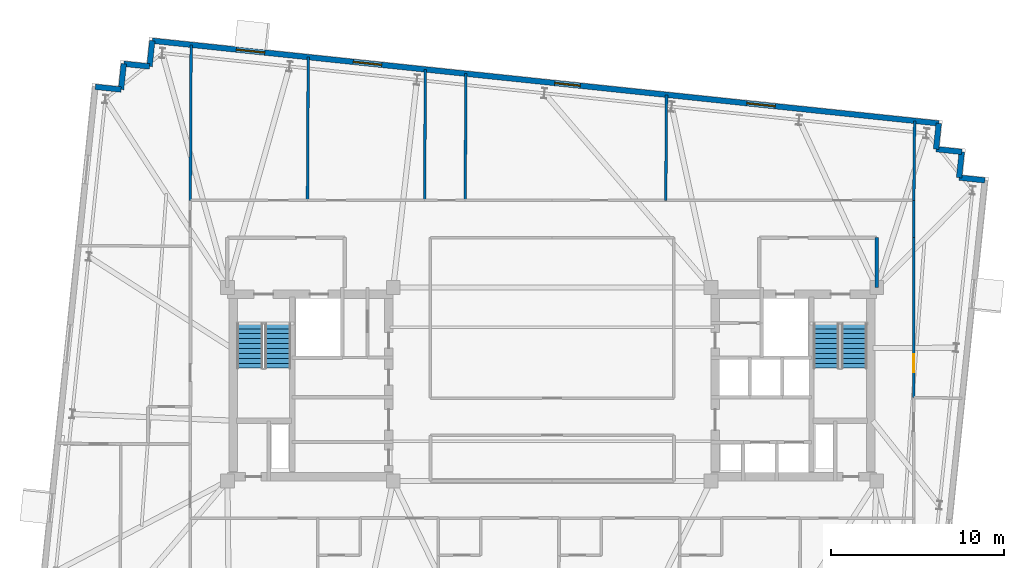
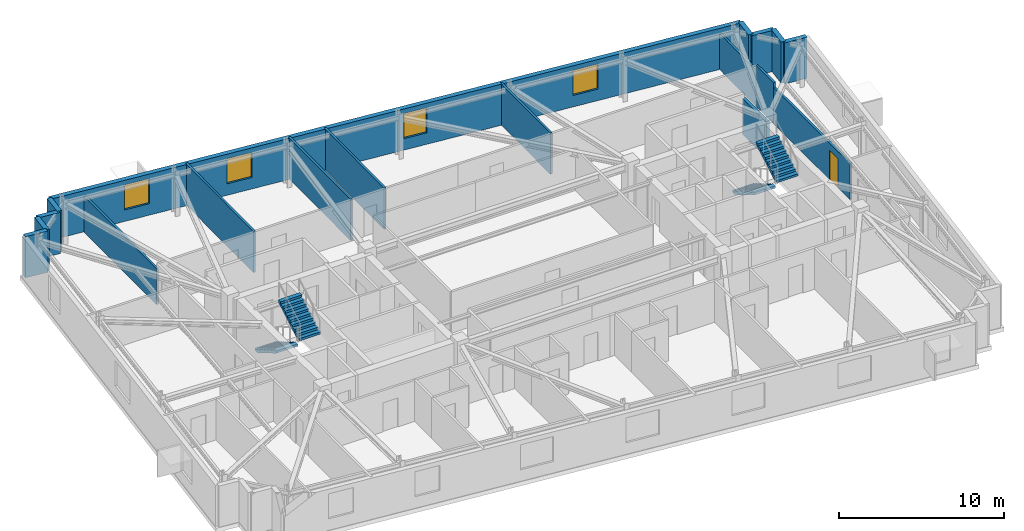
# One storey, part 9 of 11: 18 walls, 4 stair flights, 4 windows, 1 door, 5 openings, 2 elements without a shape of their own.
"""IFC4 building model written with IfcOpenShell, lengths in metres."""

import ifcopenshell
import ifcopenshell.guid

model = None  # the IFC model being written
_history = None  # IfcOwnerHistory: only IFC2X3 demands one
_inside = {}  # id of a spatial element -> (the spatial element, [elements in it])
_under = {}  # id of a project, library or spatial element -> (it, [spatial elements below it])
_declared = {}  # id of a project -> (the project, [libraries it declares])
_typed = {}  # id of a type object -> (the type object, [elements of that type])
_made_of = {}  # id of a material, layer set ... -> (it, [elements and type objects made of it])


def new_model(schema):
    """Start an empty IFC model of exactly this schema.

    Asked for "IFC4X3", IfcOpenShell would pick the latest addendum, in which some entities
    have other attributes; the version numbers below select the first issue.
    IFC2X3 requires an IfcOwnerHistory on every rooted entity: one is made here for all.
    """
    global model, _history
    if schema == "IFC4X3":
        model = ifcopenshell.file(schema_version=(4, 3, 0, 0))
    else:
        model = ifcopenshell.file(schema=schema)
    _inside.clear()
    _under.clear()
    _declared.clear()
    _typed.clear()
    _made_of.clear()
    _history = None
    if model.schema == "IFC2X3":
        org = make("IfcOrganization", Name="unknown")
        user = make(
            "IfcPersonAndOrganization",
            ThePerson=make("IfcPerson", FamilyName="unknown"),
            TheOrganization=org,
        )
        app = make(
            "IfcApplication",
            ApplicationDeveloper=org,
            Version="unknown",
            ApplicationFullName="unknown",
            ApplicationIdentifier="unknown",
        )
        _history = make(
            "IfcOwnerHistory",
            OwningUser=user,
            OwningApplication=app,
            ChangeAction="ADDED",
            CreationDate=0,
        )
    return model


def make(cls, **values):
    """One entity of the class cls with the attributes given. An attribute that is None is left unset."""
    return model.create_entity(
        cls, **{name: value for name, value in values.items() if value is not None}
    )


def rooted(cls, **values):
    """An entity with a GlobalId (a new one), such as an element, a storey or a relation."""
    return make(cls, GlobalId=ifcopenshell.guid.new(), OwnerHistory=_history, **values)


def si_unit(unit_type, name, prefix=None):
    """IfcSIUnit, for example si_unit("LENGTHUNIT", "METRE", prefix="MILLI")."""
    return make("IfcSIUnit", UnitType=unit_type, Prefix=prefix, Name=name)


def assignment(units):
    """IfcUnitAssignment: the units of a project."""
    return None if units is None else make("IfcUnitAssignment", Units=units)


def point(xyz):
    """IfcCartesianPoint."""
    return None if xyz is None else make("IfcCartesianPoint", Coordinates=xyz)


def direction(xyz):
    """IfcDirection."""
    return None if xyz is None else make("IfcDirection", DirectionRatios=xyz)


def frame(location, z_axis=None, x_axis=None):
    """IfcAxis2Placement3D, a coordinate frame: its origin and axes. An axis left out is left unset."""
    return make(
        "IfcAxis2Placement3D",
        Location=point(location),
        Axis=direction(z_axis),
        RefDirection=direction(x_axis),
    )


def frame_2d(location, x_axis=None):
    """IfcAxis2Placement2D, a coordinate frame in the plane: its origin and x axis."""
    return make(
        "IfcAxis2Placement2D", Location=point(location), RefDirection=direction(x_axis)
    )


def origin():
    """The frame at (0, 0, 0) with its axes left unset."""
    return frame((0.0, 0.0, 0.0))


def place(relative_to, where):
    """IfcLocalPlacement: puts the frame where relative to a parent placement (None: the world)."""
    return make(
        "IfcLocalPlacement", PlacementRelTo=relative_to, RelativePlacement=where
    )


def context(
    kind, dimensions, precision=None, world=None, true_north=None, identifier=None
):
    """IfcGeometricRepresentationContext, for example the 3D "Model" context."""
    return make(
        "IfcGeometricRepresentationContext",
        ContextIdentifier=identifier,
        ContextType=kind,
        CoordinateSpaceDimension=dimensions,
        Precision=precision,
        WorldCoordinateSystem=world,
        TrueNorth=true_north,
    )


def subcontext(parent, identifier, kind, view, scale=None):
    """IfcGeometricRepresentationSubContext, for example "Body" below "Model"."""
    return make(
        "IfcGeometricRepresentationSubContext",
        ContextIdentifier=identifier,
        ContextType=kind,
        ParentContext=parent,
        TargetScale=scale,
        TargetView=view,
    )


def project(units=None, contexts=None):
    """IfcProject with its units and contexts."""
    return rooted(
        "IfcProject",
        Name="project",
        RepresentationContexts=contexts,
        UnitsInContext=assignment(units),
    )


def spatial(cls, under=None, at=None, **own):
    """A site, building, storey or space (cls), placed at a placement, below another one or the project."""
    s = rooted(cls, ObjectPlacement=at, **own)
    if under is not None:
        _under.setdefault(under.id(), (under, []))[1].append(s)
    return s


def polyline(points):
    """IfcPolyline through the points."""
    return make("IfcPolyline", Points=[point(p) for p in points])


def profile(cls, at=None, kind="AREA", **sizes):
    """A parametric profile (cls). Its sizes go by their IFC names, for example OverallWidth=200.0."""
    return make(cls, ProfileType=kind, Position=at, **sizes)


def rectangle(**sizes):
    """IfcRectangleProfileDef."""
    return profile("IfcRectangleProfileDef", **sizes)


def outline(outer, holes=None, kind="AREA"):
    """IfcArbitraryClosedProfileDef: a profile drawn as a closed curve; with holes, ...WithVoids."""
    if holes is None:
        return make("IfcArbitraryClosedProfileDef", ProfileType=kind, OuterCurve=outer)
    return make(
        "IfcArbitraryProfileDefWithVoids",
        ProfileType=kind,
        OuterCurve=outer,
        InnerCurves=holes,
    )


def extrude(swept, where, along, depth):
    """IfcExtrudedAreaSolid: the profile swept, set in the frame where, extruded along a direction by depth."""
    return make(
        "IfcExtrudedAreaSolid",
        SweptArea=swept,
        Position=where,
        ExtrudedDirection=direction(along),
        Depth=depth,
    )


def shape(context_of_items, identifier, shape_type, items):
    """IfcShapeRepresentation: the items that make up one representation, for example the "Body"."""
    return make(
        "IfcShapeRepresentation",
        ContextOfItems=context_of_items,
        RepresentationIdentifier=identifier,
        RepresentationType=shape_type,
        Items=items,
    )


def material(Name=None, Category=None):
    """IfcMaterial."""
    return make("IfcMaterial", Name=Name, Category=Category)


def layer(
    of_material, thickness, ventilated=None, Name=None, Category=None, Priority=None
):
    """IfcMaterialLayer: one layer of a wall or slab, of a material (None: an air gap)."""
    return make(
        "IfcMaterialLayer",
        Material=of_material,
        LayerThickness=thickness,
        IsVentilated=ventilated,
        Name=Name,
        Category=Category,
        Priority=Priority,
    )


def layer_set(layers, Name=None):
    """IfcMaterialLayerSet."""
    return make("IfcMaterialLayerSet", MaterialLayers=layers, LayerSetName=Name)


def made_of(thing, what):
    """Note that an element or type object is made of a material, layer set ...; save() writes the relation."""
    if what is not None:
        _made_of.setdefault(what.id(), (what, []))[1].append(thing)
    return thing


def type_object(cls, material=None, **own):
    """A type object (cls), such as IfcWallType, which elements share."""
    return made_of(rooted(cls, **own), material)


def element(
    cls,
    number,
    at=None,
    inside=None,
    cuts=None,
    type_object=None,
    material=None,
    context=None,
    identifier="Body",
    shape_type=None,
    held_by="IfcProductDefinitionShape",
    body=None,
    shapes=None,
    **own,
):
    """One element of the class cls, such as IfcWall. Its Tag is "e" and its number.

    at: its placement. inside: the storey or other place that contains it. cuts: it is an
    opening in that element (IfcRelVoidsElement). A single representation is given by context,
    identifier, shape_type and body (its items); several are given by shapes. held_by: the class
    of the entity that holds the representations. save() writes the other relations.
    """
    e = rooted(cls, Tag="e%d" % number, ObjectPlacement=at, **own)
    if body is not None:
        shapes = [shape(context, identifier, shape_type, body)]
    if shapes is not None:
        e.Representation = make(held_by, Representations=shapes)
    if inside is not None:
        _inside.setdefault(inside.id(), (inside, []))[1].append(e)
    if cuts is not None:
        rooted(
            "IfcRelVoidsElement", RelatingBuildingElement=cuts, RelatedOpeningElement=e
        )
    if type_object is not None:
        _typed.setdefault(type_object.id(), (type_object, []))[1].append(e)
    return made_of(e, material)


def fill(opening, filler):
    """IfcRelFillsElement: the door or window that sits in an opening."""
    return rooted(
        "IfcRelFillsElement",
        RelatingOpeningElement=opening,
        RelatedBuildingElement=filler,
    )


def aggregate(whole, parts):
    """IfcRelAggregates: a whole, such as a stair, and the parts it consists of."""
    return rooted("IfcRelAggregates", RelatingObject=whole, RelatedObjects=parts)


def save(model, path):
    """Write the relations noted so far, then the file.

    IfcRelAggregates (storeys below a building ...), IfcRelContainedInSpatialStructure (elements
    in a storey), IfcRelDefinesByType, IfcRelAssociatesMaterial and IfcRelDeclares: one each for
    every whole, place, type object, material and project.
    """
    for whole, parts in _under.values():
        aggregate(whole, parts)
    for where, things in _inside.values():
        rooted(
            "IfcRelContainedInSpatialStructure",
            RelatedElements=things,
            RelatingStructure=where,
        )
    for kind, things in _typed.values():
        rooted("IfcRelDefinesByType", RelatedObjects=things, RelatingType=kind)
    for what, things in _made_of.values():
        rooted("IfcRelAssociatesMaterial", RelatedObjects=things, RelatingMaterial=what)
    for by, libraries in _declared.values():
        rooted("IfcRelDeclares", RelatingContext=by, RelatedDefinitions=libraries)
    model.write(path)


model = new_model("IFC4")

# Units and contexts
model_context = context("Model", 3, precision=1e-05, world=origin(), true_north=direction((0.0, 1.0)))
body_context = subcontext(model_context, "Body", "Model", "MODEL_VIEW")
ifc_project = project(units=[si_unit("LENGTHUNIT", "METRE"), si_unit("AREAUNIT", "SQUARE_METRE"), si_unit("VOLUMEUNIT", "CUBIC_METRE"), si_unit("PLANEANGLEUNIT", "RADIAN"), si_unit("MASSUNIT", "GRAM", prefix="KILO")], contexts=[model_context])

# Site, building, storey
site_placement = place(None, origin())
site = spatial("IfcSite", under=ifc_project, at=site_placement, CompositionType="ELEMENT")
building_placement = place(site_placement, origin())
building = spatial("IfcBuilding", under=site, at=building_placement, Name="Qobustan Lattice House", CompositionType="ELEMENT")
storey_placement = place(building_placement, frame((0.0, 0.0, 213.14990234375)))
storey = spatial("IfcBuildingStorey", under=building, at=storey_placement, Name="L60", CompositionType="ELEMENT", Elevation=213.14990234375)

# Walls
ifc_material_1 = material(Name="Precast concrete C40/50", Category="concrete")
ifc_layer_1 = layer(ifc_material_1, 0.320068359375)
ifc_layer_set_1 = layer_set([ifc_layer_1], Name="Precast concrete C40/50")
wall_type_1 = type_object("IfcWallType", Name="WAL-EXT-STONE-320", PredefinedType="SOLIDWALL", material=ifc_layer_set_1)
wall_1_placement = place(storey_placement, frame((-26.452880859375, 17.228515625, 0.0), z_axis=(0.0, 0.0, 1.0), x_axis=(0.994508128223, -0.104659366031, 0.0)))
element("IfcWall", 1, at=wall_1_placement, inside=storey, type_object=wall_type_1, Name="L60 exterior limestone-clad wall 6", PredefinedType="SOLIDWALL", context=body_context, shape_type="SweptSolid", body=[
    extrude(rectangle(XDim=1.5, YDim=0.320068359375, at=frame_2d((0.75, 0.0))), origin(), (0.0, 0.0, 1.0), 3.0400390625),
])
wall_2_placement = place(storey_placement, frame((-24.961181640625, 17.071533203125, 0.0), z_axis=(0.0, 0.0, 1.0), x_axis=(0.104642427191, 0.994509910675, 0.0)))
element("IfcWall", 2, at=wall_2_placement, inside=storey, type_object=wall_type_1, Name="L60 exterior limestone-clad wall 7", PredefinedType="SOLIDWALL", context=body_context, shape_type="SweptSolid", body=[
    extrude(rectangle(XDim=1.500244140625, YDim=0.320068359375, at=frame_2d((0.75, 0.0))), origin(), (0.0, 0.0, 1.0), 3.0400390625),
])
wall_3_placement = place(storey_placement, frame((-24.80419921875, 18.5634765625, 0.0), z_axis=(0.0, 0.0, 1.0), x_axis=(0.994508128223, -0.104659366031, 0.0)))
element("IfcWall", 3, at=wall_3_placement, inside=storey, type_object=wall_type_1, Name="L60 exterior limestone-clad wall 8", PredefinedType="SOLIDWALL", context=body_context, shape_type="SweptSolid", body=[
    extrude(rectangle(XDim=1.5, YDim=0.320068359375, at=frame_2d((0.75, 0.0))), origin(), (0.0, 0.0, 1.0), 3.0400390625),
])
wall_4_placement = place(storey_placement, frame((-23.3125, 18.406494140625, 0.0), z_axis=(0.0, 0.0, 1.0), x_axis=(0.104481464157, 0.994526834051, 0.0)))
element("IfcWall", 4, at=wall_4_placement, inside=storey, type_object=wall_type_1, Name="L60 exterior limestone-clad wall 9", PredefinedType="SOLIDWALL", context=body_context, shape_type="SweptSolid", body=[
    extrude(rectangle(XDim=1.500244140625, YDim=0.320068359375, at=frame_2d((0.75, 0.0))), origin(), (0.0, 0.0, 1.0), 3.0400390625),
])

# Wall, openings, windows
wall_5_placement = place(storey_placement, frame((-23.15576171875, 19.8984375, 0.0), z_axis=(0.0, 0.0, 1.0), x_axis=(0.994522001802, -0.104527450613, 0.0)))
wall_5 = element("IfcWall", 5, at=wall_5_placement, inside=storey, type_object=wall_type_1, Name="L60 exterior limestone-clad wall 10", PredefinedType="SOLIDWALL", context=body_context, shape_type="SweptSolid", body=[
    extrude(rectangle(XDim=45.800048828125, YDim=0.320068359375, at=frame_2d((22.89990234375, 0.0))), origin(), (0.0, 0.0, 1.0), 3.0400390625),
])
opening_1_placement = place(wall_5_placement, frame((4.89990234375, 0.0, 0.85009765625)))
opening_1 = element("IfcOpeningElement", 6, at=opening_1_placement, cuts=wall_5, Name="Opening WN-09", PredefinedType="OPENING", context=body_context, shape_type="SweptSolid", body=[
    extrude(rectangle(XDim=1.64990234375, YDim=1.85009765625, at=frame_2d((0.824951171875, 0.925048828125))), frame((0.0, 0.169921875, 0.0), z_axis=(0.0, -1.0, 0.0), x_axis=(1.0, 0.0, 0.0)), (0.0, 0.0, 1.0), 0.340087890625),
])
opening_2_placement = place(wall_5_placement, frame((11.7060546875, 0.0, 0.85009765625)))
opening_2 = element("IfcOpeningElement", 7, at=opening_2_placement, cuts=wall_5, Name="Opening WN-09", PredefinedType="OPENING", context=body_context, shape_type="SweptSolid", body=[
    extrude(rectangle(XDim=1.64990234375, YDim=1.85009765625, at=frame_2d((0.824951171875, 0.925048828125))), frame((0.0, 0.169921875, 0.0), z_axis=(0.0, -1.0, 0.0), x_axis=(1.0, 0.0, 0.0)), (0.0, 0.0, 1.0), 0.340087890625),
])
opening_3_placement = place(wall_5_placement, frame((23.43115234375, 0.0, 0.85009765625)))
opening_3 = element("IfcOpeningElement", 8, at=opening_3_placement, cuts=wall_5, Name="Opening WN-01", PredefinedType="OPENING", context=body_context, shape_type="SweptSolid", body=[
    extrude(rectangle(XDim=1.5, YDim=1.85009765625, at=frame_2d((0.75, 0.925048828125))), frame((0.0, 0.169921875, 0.0), z_axis=(0.0, -1.0, 0.0), x_axis=(1.0, 0.0, 0.0)), (0.0, 0.0, 1.0), 0.340087890625),
])
opening_4_placement = place(wall_5_placement, frame((34.628173828125, 0.0, 0.85009765625)))
opening_4 = element("IfcOpeningElement", 9, at=opening_4_placement, cuts=wall_5, Name="Opening WN-09", PredefinedType="OPENING", context=body_context, shape_type="SweptSolid", body=[
    extrude(rectangle(XDim=1.64990234375, YDim=1.85009765625, at=frame_2d((0.824951171875, 0.925048828125))), frame((0.0, 0.169921875, 0.0), z_axis=(0.0, -1.0, 0.0), x_axis=(1.0, 0.0, 0.0)), (0.0, 0.0, 1.0), 0.340087890625),
])
ifc_material_2 = material(Name="Double-glazed low-E aluminium window", Category="aluminium")
window_type_1 = type_object("IfcWindowType", Name="WIN-BED-1500x1850", PartitioningType="SINGLE_PANEL", PredefinedType="WINDOW", material=ifc_material_2)
window_1_placement = place(opening_3_placement, origin())
window_1 = element("IfcWindow", 10, at=window_1_placement, inside=storey, type_object=window_type_1, Name="L60 Laundry utility room window", OverallHeight=1.85009765625, OverallWidth=1.5, PartitioningType="SINGLE_PANEL", PredefinedType="WINDOW", context=body_context, shape_type="SweptSolid", body=[
    extrude(rectangle(XDim=1.5, YDim=1.85009765625, at=frame_2d((0.75, 0.925048828125))), frame((0.0, 0.030029296875, 0.0), z_axis=(0.0, -1.0, 0.0), x_axis=(1.0, 0.0, 0.0)), (0.0, 0.0, 1.0), 0.06005859375),
])
fill(opening_3, window_1)
ifc_material_3 = material(Name="Double-glazed low-E aluminium window", Category="aluminium")
window_type_2 = type_object("IfcWindowType", Name="WIN-STU-1650x1850", PartitioningType="SINGLE_PANEL", PredefinedType="WINDOW", material=ifc_material_3)
window_2_placement = place(opening_1_placement, origin())
window_2 = element("IfcWindow", 11, at=window_2_placement, inside=storey, type_object=window_type_2, Name="L60 Focus study room N1A window", OverallHeight=1.85009765625, OverallWidth=1.64990234375, PartitioningType="SINGLE_PANEL", PredefinedType="WINDOW", context=body_context, shape_type="SweptSolid", body=[
    extrude(rectangle(XDim=1.64990234375, YDim=1.85009765625, at=frame_2d((0.824951171875, 0.925048828125))), frame((0.0, 0.030029296875, 0.0), z_axis=(0.0, -1.0, 0.0), x_axis=(1.0, 0.0, 0.0)), (0.0, 0.0, 1.0), 0.06005859375),
])
fill(opening_1, window_2)
window_3_placement = place(opening_2_placement, origin())
window_3 = element("IfcWindow", 12, at=window_3_placement, inside=storey, type_object=window_type_2, Name="L60 Focus study room N1B window", OverallHeight=1.85009765625, OverallWidth=1.64990234375, PartitioningType="SINGLE_PANEL", PredefinedType="WINDOW", context=body_context, shape_type="SweptSolid", body=[
    extrude(rectangle(XDim=1.64990234375, YDim=1.85009765625, at=frame_2d((0.824951171875, 0.925048828125))), frame((0.0, 0.030029296875, 0.0), z_axis=(0.0, -1.0, 0.0), x_axis=(1.0, 0.0, 0.0)), (0.0, 0.0, 1.0), 0.06005859375),
])
fill(opening_2, window_3)
window_4_placement = place(opening_4_placement, origin())
window_4 = element("IfcWindow", 13, at=window_4_placement, inside=storey, type_object=window_type_2, Name="L60 Focus study room N3 window", OverallHeight=1.85009765625, OverallWidth=1.64990234375, PartitioningType="SINGLE_PANEL", PredefinedType="WINDOW", context=body_context, shape_type="SweptSolid", body=[
    extrude(rectangle(XDim=1.64990234375, YDim=1.85009765625, at=frame_2d((0.824951171875, 0.925048828125))), frame((0.0, 0.030029296875, 0.0), z_axis=(0.0, -1.0, 0.0), x_axis=(1.0, 0.0, 0.0)), (0.0, 0.0, 1.0), 0.06005859375),
])
fill(opening_4, window_4)

# Walls
wall_6_placement = place(storey_placement, frame((22.393310546875, 15.111083984375, 0.0), z_axis=(0.0, 0.0, 1.0), x_axis=(-0.104481464157, -0.994526834051, 0.0)))
element("IfcWall", 14, at=wall_6_placement, inside=storey, type_object=wall_type_1, Name="L60 exterior limestone-clad wall 11", PredefinedType="SOLIDWALL", context=body_context, shape_type="SweptSolid", body=[
    extrude(rectangle(XDim=1.500244140625, YDim=0.320068359375, at=frame_2d((0.75, 0.0))), origin(), (0.0, 0.0, 1.0), 3.0400390625),
])
for number, where, z_axis, x_axis, name in (
    (15, (22.236572265625, 13.619140625, 0.0), (0.0, 0.0, 1.0), (0.994525057048, -0.104498377516, 0.0), "L60 exterior limestone-clad wall 12"),
    (16, (23.728271484375, 13.46240234375, 0.0), (0.0, 0.0, 1.0), (-0.104498377516, -0.994525057048, 0.0), "L60 exterior limestone-clad wall 13"),
    (17, (23.571533203125, 11.970703125, 0.0), (0.0, 0.0, 1.0), (0.994508128223, -0.104659366031, 0.0), "L60 exterior limestone-clad wall 14"),
):
    element("IfcWall", number, at=place(storey_placement, frame(where, z_axis=z_axis, x_axis=x_axis)), inside=storey, type_object=wall_type_1, Name=name, PredefinedType="SOLIDWALL", context=body_context, shape_type="SweptSolid", body=[
        extrude(rectangle(XDim=1.5, YDim=0.320068359375, at=frame_2d((0.75, 0.0))), origin(), (0.0, 0.0, 1.0), 3.0400390625),
    ])
ifc_material_4 = material(Name="Acoustic twin-stud gypsum partition", Category="gypsum")
ifc_layer_2 = layer(ifc_material_4, 0.14990234375)
ifc_layer_set_2 = layer_set([ifc_layer_2], Name="Acoustic twin-stud gypsum partition")
wall_type_2 = type_object("IfcWallType", Name="WAL-PART-150", PredefinedType="PARTITIONING", material=ifc_layer_set_2)
wall_7_placement = place(storey_placement, frame((20.949951171875, 10.64990234375, 0.0), z_axis=(0.0, 0.0, 1.0), x_axis=(0.0, -1.0, 0.0)))
element("IfcWall", 18, at=wall_7_placement, inside=storey, type_object=wall_type_2, Name="L60 interior partition 40", PredefinedType="PARTITIONING", context=body_context, shape_type="SweptSolid", body=[
    extrude(rectangle(XDim=2.14990234375, YDim=0.14990234375, at=frame_2d((1.074951171875, 0.0))), origin(), (0.0, 0.0, 1.0), 3.0400390625),
])

# Wall, opening, door
wall_8_placement = place(storey_placement, frame((20.949951171875, 8.5, 0.0), z_axis=(0.0, 0.0, 1.0), x_axis=(0.0, -1.0, 0.0)))
wall_8 = element("IfcWall", 19, at=wall_8_placement, inside=storey, type_object=wall_type_2, Name="L60 interior partition 64", PredefinedType="PARTITIONING", context=body_context, shape_type="SweptSolid", body=[
    extrude(rectangle(XDim=9.26318359375, YDim=0.14990234375, at=frame_2d((4.631591796875, 0.0))), origin(), (0.0, 0.0, 1.0), 2.695068359375),
])
opening_5_placement = place(wall_8_placement, frame((6.75146484375, 0.0, 0.0)))
opening_5 = element("IfcOpeningElement", 20, at=opening_5_placement, cuts=wall_8, Name="Opening ID-02", PredefinedType="OPENING", context=body_context, shape_type="SweptSolid", body=[
    extrude(rectangle(XDim=1.050048828125, YDim=2.14990234375, at=frame_2d((0.52490234375, 1.074951171875))), frame((0.0, 0.0849609375, 0.0), z_axis=(0.0, -1.0, 0.0), x_axis=(1.0, 0.0, 0.0)), (0.0, 0.0, 1.0), 0.169921875),
])
ifc_material_5 = material(Name="Persian walnut timber and steel frame door", Category="steel")
door_type = type_object("IfcDoorType", Name="DOR-STUDY-1050x2150", OperationType="NOTDEFINED", PredefinedType="DOOR", material=ifc_material_5)
door_placement = place(opening_5_placement, origin())
door = element("IfcDoor", 21, at=door_placement, inside=storey, type_object=door_type, Name="L60 East wing spine gallery to Collaborative tutorial room door", OperationType="SINGLE_SWING_LEFT", OverallHeight=2.14990234375, OverallWidth=1.050048828125, PredefinedType="DOOR", context=body_context, shape_type="SweptSolid", body=[
    extrude(rectangle(XDim=1.050048828125, YDim=2.14990234375, at=frame_2d((0.52490234375, 1.074951171875))), frame((0.0, 0.02490234375, 0.0), z_axis=(0.0, -1.0, 0.0), x_axis=(1.0, 0.0, 0.0)), (0.0, 0.0, 1.0), 0.050048828125),
])
fill(opening_5, door)

# Walls
wall_9_placement = place(storey_placement, frame((-20.906005859375, 19.661865234375, 0.0), z_axis=(0.0, 0.0, 1.0), x_axis=(-0.004876272857, -0.999988110911, 0.0)))
element("IfcWall", 22, at=wall_9_placement, inside=storey, type_object=wall_type_2, Name="L60 interior partition 79", PredefinedType="PARTITIONING", context=body_context, shape_type="SweptSolid", body=[
    extrude(rectangle(XDim=9.011962890625, YDim=0.14990234375, at=frame_2d((4.505859375, 0.0))), origin(), (0.0, 0.0, 1.0), 2.6650390625),
])
wall_10_placement = place(storey_placement, frame((20.949951171875, 10.64990234375, 0.0), z_axis=(0.0, 0.0, 1.0), x_axis=(0.009535990233, 0.999954531411, 0.0)))
element("IfcWall", 23, at=wall_10_placement, inside=storey, type_object=wall_type_2, Name="L60 interior partition 82", PredefinedType="PARTITIONING", context=body_context, shape_type="SweptSolid", body=[
    extrude(rectangle(XDim=4.6083984375, YDim=0.14990234375, at=frame_2d((2.30419921875, 0.0))), origin(), (0.0, 0.0, 1.0), 2.6650390625),
])
wall_11_placement = place(storey_placement, frame((-14.12255859375, 18.948974609375, 0.0), z_axis=(0.0, 0.0, 1.0), x_axis=(-0.005295133602, -0.999985980682, 0.0)))
element("IfcWall", 24, at=wall_11_placement, inside=storey, type_object=wall_type_2, Name="L60 interior partition 83", PredefinedType="PARTITIONING", context=body_context, shape_type="SweptSolid", body=[
    extrude(rectangle(XDim=8.299072265625, YDim=0.14990234375, at=frame_2d((4.1494140625, 0.0))), origin(), (0.0, 0.0, 1.0), 3.0400390625),
])
wall_12_placement = place(storey_placement, frame((6.626953125, 16.76806640625, 0.0), z_axis=(0.0, 0.0, 1.0), x_axis=(-0.007182576093, -0.999974204968, 0.0)))
element("IfcWall", 25, at=wall_12_placement, inside=storey, type_object=wall_type_2, Name="L60 interior partition 86", PredefinedType="PARTITIONING", context=body_context, shape_type="SweptSolid", body=[
    extrude(rectangle(XDim=6.118408203125, YDim=0.14990234375, at=frame_2d((3.05908203125, 0.0))), origin(), (0.0, 0.0, 1.0), 3.0400390625),
])
ifc_material_6 = material(Name="Two-hour gypsum fireboard acoustic partition", Category="gypsum")
ifc_layer_3 = layer(ifc_material_6, 0.199951171875)
ifc_layer_set_3 = layer_set([ifc_layer_3], Name="Two-hour gypsum fireboard acoustic partition")
wall_type_3 = type_object("IfcWallType", Name="WAL-PROT-200", PredefinedType="PARTITIONING", material=ifc_layer_set_3)
wall_13_placement = place(storey_placement, frame((18.800048828125, 5.60009765625, 0.0), z_axis=(0.0, 0.0, 1.0), x_axis=(0.0, 1.0, 0.0)))
element("IfcWall", 26, at=wall_13_placement, inside=storey, type_object=wall_type_3, Name="L60 interior partition 19", PredefinedType="PARTITIONING", context=body_context, shape_type="SweptSolid", body=[
    extrude(rectangle(XDim=2.89990234375, YDim=0.199951171875, at=frame_2d((1.449951171875, 0.0))), origin(), (0.0, 0.0, 1.0), 2.6650390625),
])
ifc_material_7 = material(Name="Moisture-resistant acoustic plumbing wall", Category="gypsum")
ifc_layer_4 = layer(ifc_material_7, 0.14990234375)
ifc_layer_set_4 = layer_set([ifc_layer_4], Name="Moisture-resistant acoustic plumbing wall")
wall_type_4 = type_object("IfcWallType", Name="WAL-WET-150", PredefinedType="PLUMBINGWALL", material=ifc_layer_set_4)
wall_14_placement = place(storey_placement, frame((-7.339111328125, 18.236083984375, 0.0), z_axis=(0.0, 0.0, 1.0), x_axis=(-0.005792713287, -0.999983222096, 0.0)))
element("IfcWall", 27, at=wall_14_placement, inside=storey, type_object=wall_type_4, Name="L60 interior partition 84", PredefinedType="PLUMBINGWALL", context=body_context, shape_type="SweptSolid", body=[
    extrude(rectangle(XDim=7.58642578125, YDim=0.14990234375, at=frame_2d((3.793212890625, 0.0))), origin(), (0.0, 0.0, 1.0), 3.0400390625),
])
wall_15_placement = place(storey_placement, frame((-4.989013671875, 17.989013671875, 0.0), z_axis=(0.0, 0.0, 1.0), x_axis=(-0.005987717415, -0.999982073459, 0.0)))
element("IfcWall", 28, at=wall_15_placement, inside=storey, type_object=wall_type_4, Name="L60 interior partition 85", PredefinedType="PLUMBINGWALL", context=body_context, shape_type="SweptSolid", body=[
    extrude(rectangle(XDim=7.33935546875, YDim=0.14990234375, at=frame_2d((3.669677734375, 0.0))), origin(), (0.0, 0.0, 1.0), 3.0400390625),
])

# Stair, stair flights
ifc_material_8 = material(Name="Concrete C40/50", Category="concrete")
stair_type = type_object("IfcStairType", Name="STR-CORE-DOGLEG", PredefinedType="HALF_TURN_STAIR", material=ifc_material_8)
stair_1_placement = place(storey_placement, origin())
stair_1 = element("IfcStair", 29, at=stair_1_placement, inside=storey, type_object=stair_type, Name="L60 West protected exit stair ST-W1", PredefinedType="HALF_TURN_STAIR")
ifc_material_9 = material(Name="Concrete C40/50", Category="concrete")
stair_flight_type = type_object("IfcStairFlightType", Name="SFL-RC-1500", PredefinedType="STRAIGHT", material=ifc_material_9)
stair_flight_1_placement = place(storey_placement, frame((-17.5, 3.5, 0.0), z_axis=(0.0, 0.0, 1.0), x_axis=(0.0, -1.0, 0.0)))
stair_flight_1 = element("IfcStairFlight", 30, at=stair_flight_1_placement, type_object=stair_flight_type, Name="ST-W1 flight 1", NumberOfRisers=10, NumberOfTreads=9, PredefinedType="STRAIGHT", RiserHeight=0.1675, TreadLength=0.285, context=body_context, shape_type="SweptSolid", body=[
    extrude(outline(polyline([(0.0, 0.0), (0.0, 0.16748046875), (0.284912109375, 0.16748046875), (0.284912109375, 0.3349609375), (0.570068359375, 0.3349609375), (0.570068359375, 0.50244140625), (0.85498046875, 0.50244140625), (0.85498046875, 0.669921875), (1.139892578125, 0.669921875), (1.139892578125, 0.83740234375), (1.425048828125, 0.83740234375), (1.425048828125, 1.0048828125), (1.7099609375, 1.0048828125), (1.7099609375, 1.172607421875), (1.9951171875, 1.172607421875), (1.9951171875, 1.340087890625), (2.280029296875, 1.340087890625), (2.280029296875, 1.507568359375), (2.56494140625, 1.507568359375), (2.56494140625, 1.675048828125), (2.56494140625, 1.333740234375), (0.2958984375, 0.0), (0.0, 0.0)])), frame((0.0, 0.75, 0.0), z_axis=(0.0, -1.0, 0.0), x_axis=(1.0, 0.0, 0.0)), (0.0, 0.0, 1.0), 1.5),
])
stair_flight_2_placement = place(storey_placement, frame((-15.8798828125, 0.93505859375, 1.675048828125), z_axis=(0.0, 0.0, 1.0), x_axis=(0.0, 1.0, 0.0)))
stair_flight_2 = element("IfcStairFlight", 31, at=stair_flight_2_placement, type_object=stair_flight_type, Name="ST-W1 flight 2", NumberOfRisers=10, NumberOfTreads=9, PredefinedType="STRAIGHT", RiserHeight=0.1675, TreadLength=0.285, context=body_context, shape_type="SweptSolid", body=[
    extrude(outline(polyline([(0.0, 0.0), (0.0, 0.16748046875), (0.284912109375, 0.16748046875), (0.284912109375, 0.3349609375), (0.570068359375, 0.3349609375), (0.570068359375, 0.50244140625), (0.85498046875, 0.50244140625), (0.85498046875, 0.669921875), (1.139892578125, 0.669921875), (1.139892578125, 0.83740234375), (1.425048828125, 0.83740234375), (1.425048828125, 1.0048828125), (1.7099609375, 1.0048828125), (1.7099609375, 1.172607421875), (1.9951171875, 1.172607421875), (1.9951171875, 1.340087890625), (2.280029296875, 1.340087890625), (2.280029296875, 1.507568359375), (2.56494140625, 1.507568359375), (2.56494140625, 1.675048828125), (2.56494140625, 1.333740234375), (0.2958984375, 0.0), (0.0, 0.0)])), frame((0.0, 0.75, 0.0), z_axis=(0.0, -1.0, 0.0), x_axis=(1.0, 0.0, 0.0)), (0.0, 0.0, 1.0), 1.5),
])
aggregate(stair_1, [stair_flight_1, stair_flight_2])

stair_2_placement = place(storey_placement, origin())
stair_2 = element("IfcStair", 32, at=stair_2_placement, inside=storey, type_object=stair_type, Name="L60 East protected exit stair ST-E1", PredefinedType="HALF_TURN_STAIR")
stair_flight_3_placement = place(storey_placement, frame((15.8798828125, 3.5, 0.0), z_axis=(0.0, 0.0, 1.0), x_axis=(0.0, -1.0, 0.0)))
stair_flight_3 = element("IfcStairFlight", 33, at=stair_flight_3_placement, type_object=stair_flight_type, Name="ST-E1 flight 1", NumberOfRisers=10, NumberOfTreads=9, PredefinedType="STRAIGHT", RiserHeight=0.1675, TreadLength=0.285, context=body_context, shape_type="SweptSolid", body=[
    extrude(outline(polyline([(0.0, 0.0), (0.0, 0.16748046875), (0.284912109375, 0.16748046875), (0.284912109375, 0.3349609375), (0.570068359375, 0.3349609375), (0.570068359375, 0.50244140625), (0.85498046875, 0.50244140625), (0.85498046875, 0.669921875), (1.139892578125, 0.669921875), (1.139892578125, 0.83740234375), (1.425048828125, 0.83740234375), (1.425048828125, 1.0048828125), (1.7099609375, 1.0048828125), (1.7099609375, 1.172607421875), (1.9951171875, 1.172607421875), (1.9951171875, 1.340087890625), (2.280029296875, 1.340087890625), (2.280029296875, 1.507568359375), (2.56494140625, 1.507568359375), (2.56494140625, 1.675048828125), (2.56494140625, 1.333740234375), (0.2958984375, 0.0), (0.0, 0.0)])), frame((0.0, 0.75, 0.0), z_axis=(0.0, -1.0, 0.0), x_axis=(1.0, 0.0, 0.0)), (0.0, 0.0, 1.0), 1.5),
])
stair_flight_4_placement = place(storey_placement, frame((17.5, 0.93505859375, 1.675048828125), z_axis=(0.0, 0.0, 1.0), x_axis=(0.0, 1.0, 0.0)))
stair_flight_4 = element("IfcStairFlight", 34, at=stair_flight_4_placement, type_object=stair_flight_type, Name="ST-E1 flight 2", NumberOfRisers=10, NumberOfTreads=9, PredefinedType="STRAIGHT", RiserHeight=0.1675, TreadLength=0.285, context=body_context, shape_type="SweptSolid", body=[
    extrude(outline(polyline([(0.0, 0.0), (0.0, 0.16748046875), (0.284912109375, 0.16748046875), (0.284912109375, 0.3349609375), (0.570068359375, 0.3349609375), (0.570068359375, 0.50244140625), (0.85498046875, 0.50244140625), (0.85498046875, 0.669921875), (1.139892578125, 0.669921875), (1.139892578125, 0.83740234375), (1.425048828125, 0.83740234375), (1.425048828125, 1.0048828125), (1.7099609375, 1.0048828125), (1.7099609375, 1.172607421875), (1.9951171875, 1.172607421875), (1.9951171875, 1.340087890625), (2.280029296875, 1.340087890625), (2.280029296875, 1.507568359375), (2.56494140625, 1.507568359375), (2.56494140625, 1.675048828125), (2.56494140625, 1.333740234375), (0.2958984375, 0.0), (0.0, 0.0)])), frame((0.0, 0.75, 0.0), z_axis=(0.0, -1.0, 0.0), x_axis=(1.0, 0.0, 0.0)), (0.0, 0.0, 1.0), 1.5),
])
aggregate(stair_2, [stair_flight_3, stair_flight_4])

save(model, "model.ifc")
